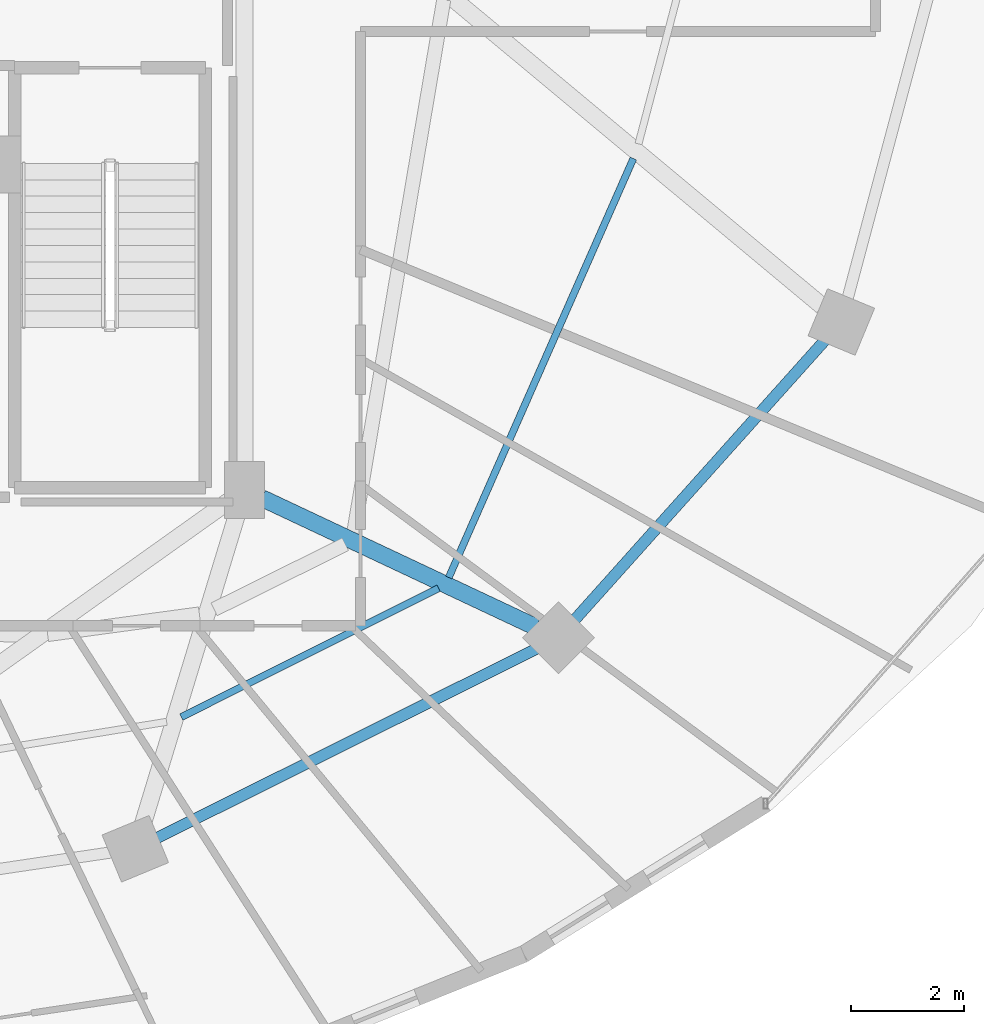
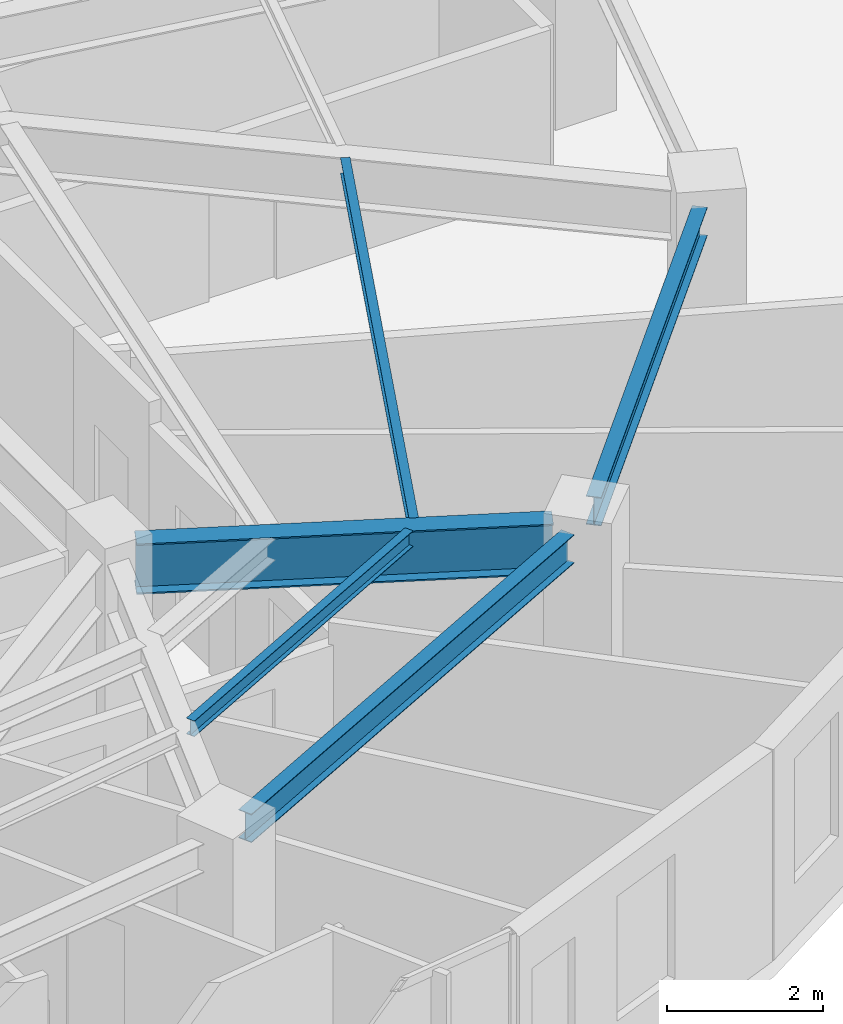
# One storey, part 12 of 33: 5 beams.
"""IFC4 building model written with IfcOpenShell, lengths in metres."""

import ifcopenshell
import ifcopenshell.guid

model = None  # the IFC model being written
_history = None  # IfcOwnerHistory: only IFC2X3 demands one
_inside = {}  # id of a spatial element -> (the spatial element, [elements in it])
_under = {}  # id of a project, library or spatial element -> (it, [spatial elements below it])
_declared = {}  # id of a project -> (the project, [libraries it declares])
_typed = {}  # id of a type object -> (the type object, [elements of that type])
_made_of = {}  # id of a material, layer set ... -> (it, [elements and type objects made of it])


def new_model(schema):
    """Start an empty IFC model of exactly this schema.

    Asked for "IFC4X3", IfcOpenShell would pick the latest addendum, in which some entities
    have other attributes; the version numbers below select the first issue.
    IFC2X3 requires an IfcOwnerHistory on every rooted entity: one is made here for all.
    """
    global model, _history
    if schema == "IFC4X3":
        model = ifcopenshell.file(schema_version=(4, 3, 0, 0))
    else:
        model = ifcopenshell.file(schema=schema)
    _inside.clear()
    _under.clear()
    _declared.clear()
    _typed.clear()
    _made_of.clear()
    _history = None
    if model.schema == "IFC2X3":
        org = make("IfcOrganization", Name="unknown")
        user = make(
            "IfcPersonAndOrganization",
            ThePerson=make("IfcPerson", FamilyName="unknown"),
            TheOrganization=org,
        )
        app = make(
            "IfcApplication",
            ApplicationDeveloper=org,
            Version="unknown",
            ApplicationFullName="unknown",
            ApplicationIdentifier="unknown",
        )
        _history = make(
            "IfcOwnerHistory",
            OwningUser=user,
            OwningApplication=app,
            ChangeAction="ADDED",
            CreationDate=0,
        )
    return model


def make(cls, **values):
    """One entity of the class cls with the attributes given. An attribute that is None is left unset."""
    return model.create_entity(
        cls, **{name: value for name, value in values.items() if value is not None}
    )


def rooted(cls, **values):
    """An entity with a GlobalId (a new one), such as an element, a storey or a relation."""
    return make(cls, GlobalId=ifcopenshell.guid.new(), OwnerHistory=_history, **values)


def si_unit(unit_type, name, prefix=None):
    """IfcSIUnit, for example si_unit("LENGTHUNIT", "METRE", prefix="MILLI")."""
    return make("IfcSIUnit", UnitType=unit_type, Prefix=prefix, Name=name)


def assignment(units):
    """IfcUnitAssignment: the units of a project."""
    return None if units is None else make("IfcUnitAssignment", Units=units)


def point(xyz):
    """IfcCartesianPoint."""
    return None if xyz is None else make("IfcCartesianPoint", Coordinates=xyz)


def direction(xyz):
    """IfcDirection."""
    return None if xyz is None else make("IfcDirection", DirectionRatios=xyz)


def frame(location, z_axis=None, x_axis=None):
    """IfcAxis2Placement3D, a coordinate frame: its origin and axes. An axis left out is left unset."""
    return make(
        "IfcAxis2Placement3D",
        Location=point(location),
        Axis=direction(z_axis),
        RefDirection=direction(x_axis),
    )


def frame_2d(location, x_axis=None):
    """IfcAxis2Placement2D, a coordinate frame in the plane: its origin and x axis."""
    return make(
        "IfcAxis2Placement2D", Location=point(location), RefDirection=direction(x_axis)
    )


def origin():
    """The frame at (0, 0, 0) with its axes left unset."""
    return frame((0.0, 0.0, 0.0))


def origin_2d():
    """The frame at (0, 0) in the plane with its x axis left unset."""
    return frame_2d((0.0, 0.0))


def place(relative_to, where):
    """IfcLocalPlacement: puts the frame where relative to a parent placement (None: the world)."""
    return make(
        "IfcLocalPlacement", PlacementRelTo=relative_to, RelativePlacement=where
    )


def context(
    kind, dimensions, precision=None, world=None, true_north=None, identifier=None
):
    """IfcGeometricRepresentationContext, for example the 3D "Model" context."""
    return make(
        "IfcGeometricRepresentationContext",
        ContextIdentifier=identifier,
        ContextType=kind,
        CoordinateSpaceDimension=dimensions,
        Precision=precision,
        WorldCoordinateSystem=world,
        TrueNorth=true_north,
    )


def subcontext(parent, identifier, kind, view, scale=None):
    """IfcGeometricRepresentationSubContext, for example "Body" below "Model"."""
    return make(
        "IfcGeometricRepresentationSubContext",
        ContextIdentifier=identifier,
        ContextType=kind,
        ParentContext=parent,
        TargetScale=scale,
        TargetView=view,
    )


def project(units=None, contexts=None):
    """IfcProject with its units and contexts."""
    return rooted(
        "IfcProject",
        Name="project",
        RepresentationContexts=contexts,
        UnitsInContext=assignment(units),
    )


def spatial(cls, under=None, at=None, **own):
    """A site, building, storey or space (cls), placed at a placement, below another one or the project."""
    s = rooted(cls, ObjectPlacement=at, **own)
    if under is not None:
        _under.setdefault(under.id(), (under, []))[1].append(s)
    return s


def profile(cls, at=None, kind="AREA", **sizes):
    """A parametric profile (cls). Its sizes go by their IFC names, for example OverallWidth=200.0."""
    return make(cls, ProfileType=kind, Position=at, **sizes)


def i_section(**sizes):
    """IfcIShapeProfileDef."""
    return profile("IfcIShapeProfileDef", **sizes)


def extrude(swept, where, along, depth):
    """IfcExtrudedAreaSolid: the profile swept, set in the frame where, extruded along a direction by depth."""
    return make(
        "IfcExtrudedAreaSolid",
        SweptArea=swept,
        Position=where,
        ExtrudedDirection=direction(along),
        Depth=depth,
    )


def shape(context_of_items, identifier, shape_type, items):
    """IfcShapeRepresentation: the items that make up one representation, for example the "Body"."""
    return make(
        "IfcShapeRepresentation",
        ContextOfItems=context_of_items,
        RepresentationIdentifier=identifier,
        RepresentationType=shape_type,
        Items=items,
    )


def material(Name=None, Category=None):
    """IfcMaterial."""
    return make("IfcMaterial", Name=Name, Category=Category)


def material_profile(
    of_material, cross_section, Name=None, Category=None, Priority=None
):
    """IfcMaterialProfile: a cross section and its material."""
    return make(
        "IfcMaterialProfile",
        Name=Name,
        Material=of_material,
        Profile=cross_section,
        Priority=Priority,
        Category=Category,
    )


def profile_set(profiles, Name=None, composite=None):
    """IfcMaterialProfileSet."""
    return make(
        "IfcMaterialProfileSet",
        Name=Name,
        MaterialProfiles=profiles,
        CompositeProfile=composite,
    )


def made_of(thing, what):
    """Note that an element or type object is made of a material, layer set ...; save() writes the relation."""
    if what is not None:
        _made_of.setdefault(what.id(), (what, []))[1].append(thing)
    return thing


def type_object(cls, material=None, **own):
    """A type object (cls), such as IfcWallType, which elements share."""
    return made_of(rooted(cls, **own), material)


def element(
    cls,
    number,
    at=None,
    inside=None,
    cuts=None,
    type_object=None,
    material=None,
    context=None,
    identifier="Body",
    shape_type=None,
    held_by="IfcProductDefinitionShape",
    body=None,
    shapes=None,
    **own,
):
    """One element of the class cls, such as IfcWall. Its Tag is "e" and its number.

    at: its placement. inside: the storey or other place that contains it. cuts: it is an
    opening in that element (IfcRelVoidsElement). A single representation is given by context,
    identifier, shape_type and body (its items); several are given by shapes. held_by: the class
    of the entity that holds the representations. save() writes the other relations.
    """
    e = rooted(cls, Tag="e%d" % number, ObjectPlacement=at, **own)
    if body is not None:
        shapes = [shape(context, identifier, shape_type, body)]
    if shapes is not None:
        e.Representation = make(held_by, Representations=shapes)
    if inside is not None:
        _inside.setdefault(inside.id(), (inside, []))[1].append(e)
    if cuts is not None:
        rooted(
            "IfcRelVoidsElement", RelatingBuildingElement=cuts, RelatedOpeningElement=e
        )
    if type_object is not None:
        _typed.setdefault(type_object.id(), (type_object, []))[1].append(e)
    return made_of(e, material)


def aggregate(whole, parts):
    """IfcRelAggregates: a whole, such as a stair, and the parts it consists of."""
    return rooted("IfcRelAggregates", RelatingObject=whole, RelatedObjects=parts)


def save(model, path):
    """Write the relations noted so far, then the file.

    IfcRelAggregates (storeys below a building ...), IfcRelContainedInSpatialStructure (elements
    in a storey), IfcRelDefinesByType, IfcRelAssociatesMaterial and IfcRelDeclares: one each for
    every whole, place, type object, material and project.
    """
    for whole, parts in _under.values():
        aggregate(whole, parts)
    for where, things in _inside.values():
        rooted(
            "IfcRelContainedInSpatialStructure",
            RelatedElements=things,
            RelatingStructure=where,
        )
    for kind, things in _typed.values():
        rooted("IfcRelDefinesByType", RelatedObjects=things, RelatingType=kind)
    for what, things in _made_of.values():
        rooted("IfcRelAssociatesMaterial", RelatedObjects=things, RelatingMaterial=what)
    for by, libraries in _declared.values():
        rooted("IfcRelDeclares", RelatingContext=by, RelatedDefinitions=libraries)
    model.write(path)


model = new_model("IFC4")

# Units and contexts
model_context = context("Model", 3, precision=1e-05, world=origin(), true_north=direction((0.0, 1.0)))
body_context = subcontext(model_context, "Body", "Model", "MODEL_VIEW")
ifc_project = project(units=[si_unit("LENGTHUNIT", "METRE"), si_unit("AREAUNIT", "SQUARE_METRE"), si_unit("VOLUMEUNIT", "CUBIC_METRE"), si_unit("PLANEANGLEUNIT", "RADIAN"), si_unit("MASSUNIT", "GRAM", prefix="KILO")], contexts=[model_context])

# Site, building, storey
site_placement = place(None, origin())
site = spatial("IfcSite", under=ifc_project, at=site_placement, CompositionType="ELEMENT")
building_placement = place(site_placement, origin())
building = spatial("IfcBuilding", under=site, at=building_placement, Name="Vorneva Point Tower", CompositionType="ELEMENT")
storey_placement = place(building_placement, frame((0.0, 0.0, 203.64990234375)))
storey = spatial("IfcBuildingStorey", under=building, at=storey_placement, Name="L55", CompositionType="ELEMENT", Elevation=203.64990234375)

# Beams
ifc_material = material(Name="Steel S355", Category="steel")
ifc_material_profile_1 = material_profile(ifc_material, i_section(OverallWidth=0.300048828125, OverallDepth=0.7880859375, WebThickness=0.014404296875, FlangeThickness=0.02197265625, at=origin_2d()), Name="80Sh1")
ifc_profile_set_1 = profile_set([ifc_material_profile_1], Name="Steel S355")
beam_type_1 = type_object("IfcBeamType", Name="BM-GRD-80Sh1", PredefinedType="USERDEFINED", material=ifc_profile_set_1)
beam_1_placement = place(storey_placement, frame((53.902587890625, 14.0244140625, 2.89599609375), z_axis=(-0.904762899762, 0.42591559635, 0.0), x_axis=(-0.42591559635, -0.904762899762, 0.0)))
element("IfcBeam", 1, at=beam_1_placement, inside=storey, type_object=beam_type_1, Name="L55 Radial Primary Girder 15", ObjectType="GIRDER", PredefinedType="USERDEFINED", context=body_context, shape_type="SweptSolid", body=[
    extrude(i_section(OverallWidth=0.300048828125, OverallDepth=0.7880859375, WebThickness=0.014404296875, FlangeThickness=0.02197265625, at=origin_2d()), origin(), (0.0, 0.0, 1.0), 5.35498046875),
])
ifc_material_profile_2 = material_profile(ifc_material, i_section(OverallWidth=0.1240234375, OverallDepth=0.248046875, WebThickness=0.0048828125, FlangeThickness=0.008056640625, at=origin_2d()), Name="25B1")
ifc_profile_set_2 = profile_set([ifc_material_profile_2], Name="Steel S355")
beam_type_2 = type_object("IfcBeamType", Name="BM-JST-25B1", PredefinedType="JOIST", material=ifc_profile_set_2)
beam_2_placement = place(storey_placement, frame((47.633544921875, 12.43701171875, 3.166015625), z_axis=(0.894062048445, 0.447943136493, 0.0), x_axis=(-0.447943136493, 0.894062048445, 0.0)))
element("IfcBeam", 2, at=beam_2_placement, inside=storey, type_object=beam_type_2, Name="L55 Secondary Floor Beam 1.14", PredefinedType="JOIST", context=body_context, shape_type="SweptSolid", body=[
    extrude(i_section(OverallWidth=0.1240234375, OverallDepth=0.248046875, WebThickness=0.0048828125, FlangeThickness=0.008056640625, at=origin_2d()), origin(), (0.0, 0.0, 1.0), 5.085693359375),
])
beam_3_placement = place(storey_placement, frame((52.359375, 14.9033203125, 3.166015625), z_axis=(0.403173499612, 0.915123559532, 0.0), x_axis=(-0.915123559532, 0.403173499612, 0.0)))
element("IfcBeam", 3, at=beam_3_placement, inside=storey, type_object=beam_type_2, Name="L55 Secondary Floor Beam 1.15", PredefinedType="JOIST", context=body_context, shape_type="SweptSolid", body=[
    extrude(i_section(OverallWidth=0.1240234375, OverallDepth=0.248046875, WebThickness=0.0048828125, FlangeThickness=0.008056640625, at=origin_2d()), origin(), (0.0, 0.0, 1.0), 8.0888671875),
])
ifc_material_profile_3 = material_profile(ifc_material, i_section(OverallWidth=0.198974609375, OverallDepth=0.446044921875, WebThickness=0.008056640625, FlangeThickness=0.011962890625, at=origin_2d()), Name="45B1")
ifc_profile_set_3 = profile_set([ifc_material_profile_3], Name="Steel S355")
beam_type_3 = type_object("IfcBeamType", Name="BM-SPN-45B1", PredefinedType="SPANDREL", material=ifc_profile_set_3)
beam_4_placement = place(storey_placement, frame((47.210205078125, 10.303466796875, 3.067138671875), z_axis=(0.894922371084, 0.446221861559, 0.0), x_axis=(-0.446221861559, 0.894922371084, 0.0)))
element("IfcBeam", 4, at=beam_4_placement, inside=storey, type_object=beam_type_3, Name="L55 Perimeter Spandrel Ring Beam 14", PredefinedType="SPANDREL", context=body_context, shape_type="SweptSolid", body=[
    extrude(i_section(OverallWidth=0.198974609375, OverallDepth=0.446044921875, WebThickness=0.008056640625, FlangeThickness=0.011962890625, at=origin_2d()), origin(), (0.0, 0.0, 1.0), 7.48583984375),
])
beam_5_placement = place(storey_placement, frame((54.589111328125, 14.161865234375, 3.067138671875), z_axis=(0.66706970547, 0.744995307397, 0.0), x_axis=(-0.744995307397, 0.66706970547, 0.0)))
element("IfcBeam", 5, at=beam_5_placement, inside=storey, type_object=beam_type_3, Name="L55 Perimeter Spandrel Ring Beam 15", PredefinedType="SPANDREL", context=body_context, shape_type="SweptSolid", body=[
    extrude(i_section(OverallWidth=0.198974609375, OverallDepth=0.446044921875, WebThickness=0.008056640625, FlangeThickness=0.011962890625, at=origin_2d()), origin(), (0.0, 0.0, 1.0), 6.6201171875),
])

save(model, "model.ifc")
